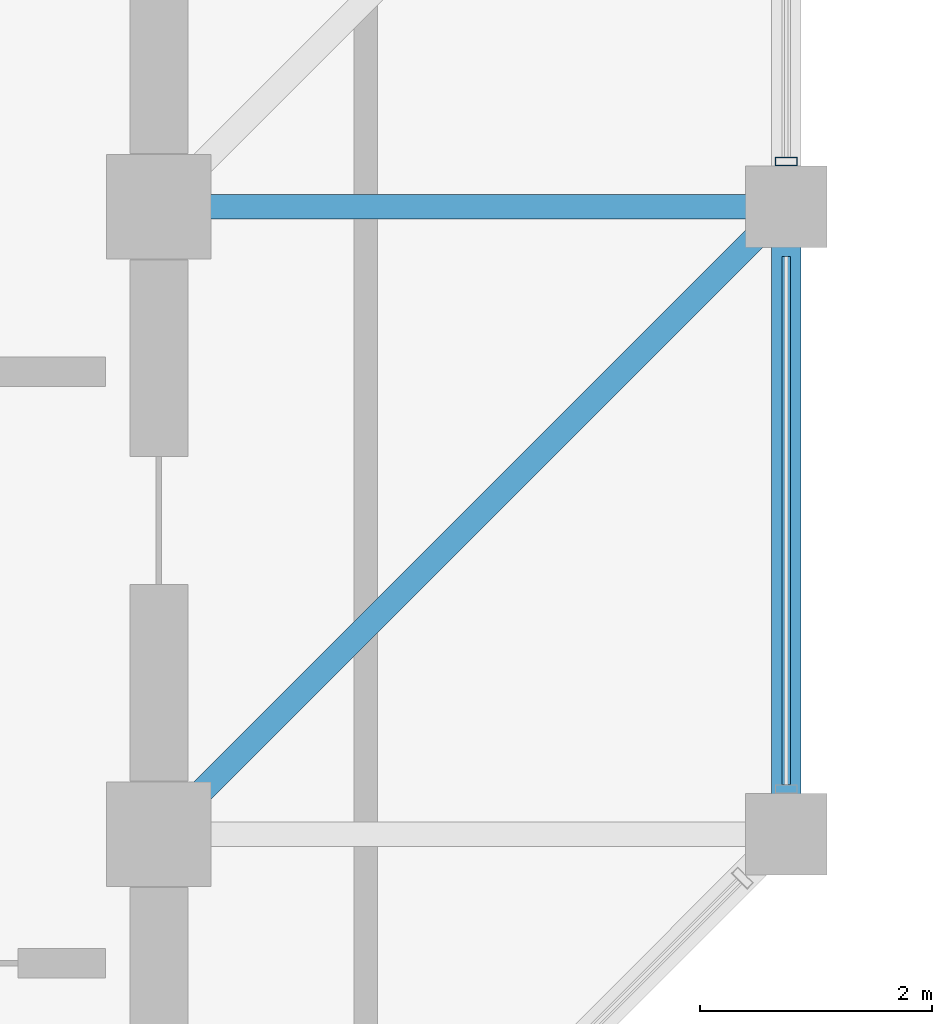
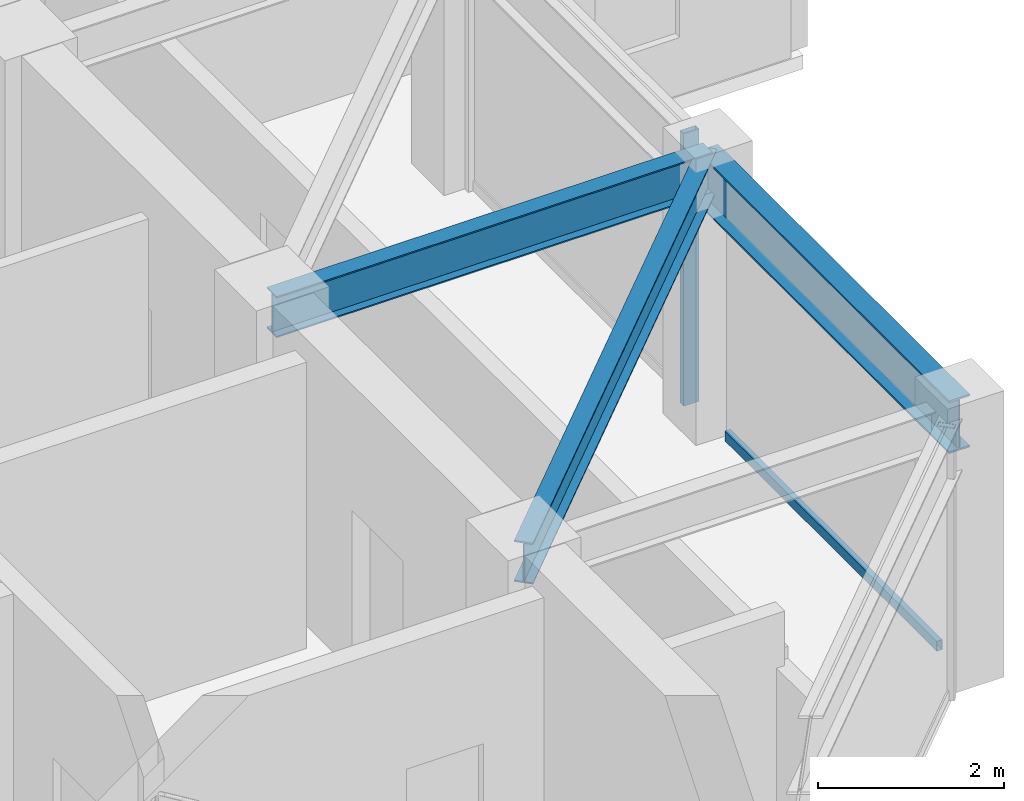
# One storey, part 10 of 31: 3 beams, 2 members, 1 element without a shape of its own.
"""IFC4 building model written with IfcOpenShell, lengths in metres."""

from ifc_helpers import new_model, si_unit, direction, frame, origin, origin_2d, place, context, subcontext, project, spatial, hollow_rectangle, i_section, extrude, material, layer, layer_set, material_profile, profile_set, type_object, element, aggregate, save


model = new_model("IFC4")

# Units and contexts
model_context = context("Model", 3, precision=1e-05, world=origin(), true_north=direction((0.0, 1.0)))
body_context = subcontext(model_context, "Body", "Model", "MODEL_VIEW")
ifc_project = project(units=[si_unit("LENGTHUNIT", "METRE"), si_unit("AREAUNIT", "SQUARE_METRE"), si_unit("VOLUMEUNIT", "CUBIC_METRE"), si_unit("PLANEANGLEUNIT", "RADIAN"), si_unit("MASSUNIT", "GRAM", prefix="KILO")], contexts=[model_context])

# Site, building, storey
site_placement = place(None, origin())
site = spatial("IfcSite", under=ifc_project, at=site_placement, CompositionType="ELEMENT")
building_placement = place(site_placement, origin())
building = spatial("IfcBuilding", under=site, at=building_placement, Name="Surkhivell Harbour Commons", CompositionType="ELEMENT")
storey_placement = place(building_placement, frame((0.0, 0.0, 262.5)))
storey = spatial("IfcBuildingStorey", under=building, at=storey_placement, Name="L68", CompositionType="ELEMENT", Elevation=262.5)

# Beams
ifc_material_1 = material(Name="Steel S355", Category="steel")
ifc_material_profile_1 = material_profile(ifc_material_1, i_section(OverallWidth=0.2099609375, OverallDepth=0.537109375, WebThickness=0.0107421875, FlangeThickness=0.017333984375, at=origin_2d()), Name="UB533x210x101")
ifc_profile_set_1 = profile_set([ifc_material_profile_1], Name="Steel S355")
beam_type_1 = type_object("IfcBeamType", Name="BM-GRD-533B", PredefinedType="BEAM", material=ifc_profile_set_1)
beam_1_placement = place(storey_placement, frame((10.800048828125, -5.39990234375, 3.301513671875), z_axis=(0.707106781187, 0.707106781187, 0.0), x_axis=(-0.707106781187, 0.707106781187, 0.0)))
element("IfcBeam", 1, at=beam_1_placement, inside=storey, type_object=beam_type_1, Name="L68 Floor Girder (10.8,-5.4)", PredefinedType="BEAM", context=body_context, shape_type="SweptSolid", body=[
    extrude(i_section(OverallWidth=0.2099609375, OverallDepth=0.537109375, WebThickness=0.0107421875, FlangeThickness=0.017333984375, at=origin_2d()), origin(), (0.0, 0.0, 1.0), 7.63671875),
])
beam_2_placement = place(storey_placement, frame((10.800048828125, 0.0, 3.301513671875), z_axis=(1.0, 0.0, 0.0), x_axis=(0.0, 1.0, 0.0)))
element("IfcBeam", 2, at=beam_2_placement, inside=storey, type_object=beam_type_1, Name="L68 Floor Girder (10.8,0.0)", PredefinedType="BEAM", context=body_context, shape_type="SweptSolid", body=[
    extrude(i_section(OverallWidth=0.2099609375, OverallDepth=0.537109375, WebThickness=0.0107421875, FlangeThickness=0.017333984375, at=origin_2d()), origin(), (0.0, 0.0, 1.0), 5.39990234375),
])
ifc_material_profile_2 = material_profile(ifc_material_1, i_section(OverallWidth=0.256103515625, OverallDepth=0.693115234375, WebThickness=0.014404296875, FlangeThickness=0.023681640625, at=origin_2d()), Name="UB686x254x170")
ifc_profile_set_2 = profile_set([ifc_material_profile_2], Name="Steel S355")
beam_type_2 = type_object("IfcBeamType", Name="BM-SPN-686", PredefinedType="SPANDREL", material=ifc_profile_set_2)
beam_3_placement = place(storey_placement, frame((16.199951171875, -5.39990234375, 3.223388671875), z_axis=(0.0, 1.0, 0.0), x_axis=(-1.0, 0.0, 0.0)))
element("IfcBeam", 3, at=beam_3_placement, inside=storey, type_object=beam_type_2, Name="L68 Tube Spandrel (16.2,-5.4)", PredefinedType="SPANDREL", context=body_context, shape_type="SweptSolid", body=[
    extrude(i_section(OverallWidth=0.256103515625, OverallDepth=0.693115234375, WebThickness=0.014404296875, FlangeThickness=0.023681640625, at=origin_2d()), origin(), (0.0, 0.0, 1.0), 5.39990234375),
])

# Curtain wall, members
ifc_material_2 = material(Name="Anodised pale-metal aluminium and insulated glazing", Category="aluminium")
ifc_layer = layer(ifc_material_2, 0.175048828125)
ifc_layer_set = layer_set([ifc_layer], Name="Anodised pale-metal aluminium and insulated glazing")
curtain_wall_type = type_object("IfcCurtainWallType", Name="CW-SYS-Z4", PredefinedType="NOTDEFINED", material=ifc_layer_set)
curtain_wall_placement = place(storey_placement, origin())
curtain_wall = element("IfcCurtainWall", 4, at=curtain_wall_placement, inside=storey, type_object=curtain_wall_type, Name="L68 Curtain Wall CW-L68-E02R1", PredefinedType="NOTDEFINED")
ifc_material_3 = material(Name="Anodised pale-metal aluminium alloy 6063-T6", Category="aluminium")
ifc_material_profile_3 = material_profile(ifc_material_3, hollow_rectangle(XDim=0.074951171875, YDim=0.18994140625, WallThickness=0.00390625, at=origin_2d()), Name="ALU-MULL-75x190")
ifc_profile_set_3 = profile_set([ifc_material_profile_3], Name="Anodised pale-metal aluminium alloy 6063-T6")
member_type_1 = type_object("IfcMemberType", Name="CWM-190", PredefinedType="MULLION", material=ifc_profile_set_3)
member_1_placement = place(storey_placement, frame((16.199951171875, 0.389404296875, 0.0), z_axis=(0.0, 0.0, 1.0), x_axis=(0.0, 1.0, 0.0)))
member_1 = element("IfcMember", 5, at=member_1_placement, type_object=member_type_1, Name="CW-Z4 mullion 2", PredefinedType="MULLION", context=body_context, shape_type="SweptSolid", body=[
    extrude(hollow_rectangle(XDim=0.074951171875, YDim=0.18994140625, WallThickness=0.00390625, at=origin_2d()), origin(), (0.0, 0.0, 1.0), 3.570068359375),
])
ifc_material_4 = material(Name="Champagne anodised aluminium alloy 6063-T6", Category="aluminium")
ifc_material_profile_4 = material_profile(ifc_material_4, hollow_rectangle(XDim=0.070068359375, YDim=0.1298828125, WallThickness=0.00341796875, at=origin_2d()), Name="ALU-TRAN-70x130")
ifc_profile_set_4 = profile_set([ifc_material_profile_4], Name="Champagne anodised aluminium alloy 6063-T6")
member_type_2 = type_object("IfcMemberType", Name="CWT-130", PredefinedType="USERDEFINED", material=ifc_profile_set_4)
member_2_placement = place(storey_placement, frame((16.199951171875, -4.972900390625, 0.06494140625), z_axis=(0.0, 1.0, 0.0), x_axis=(-1.0, 0.0, 0.0)))
member_2 = element("IfcMember", 6, at=member_2_placement, type_object=member_type_2, Name="CW-Z4 transom 1.1", ObjectType="TRANSOM", PredefinedType="USERDEFINED", context=body_context, shape_type="SweptSolid", body=[
    extrude(hollow_rectangle(XDim=0.070068359375, YDim=0.1298828125, WallThickness=0.00341796875, at=origin_2d()), origin(), (0.0, 0.0, 1.0), 4.5458984375),
])
aggregate(curtain_wall, [member_2, member_1])

save(model, "model.ifc")
